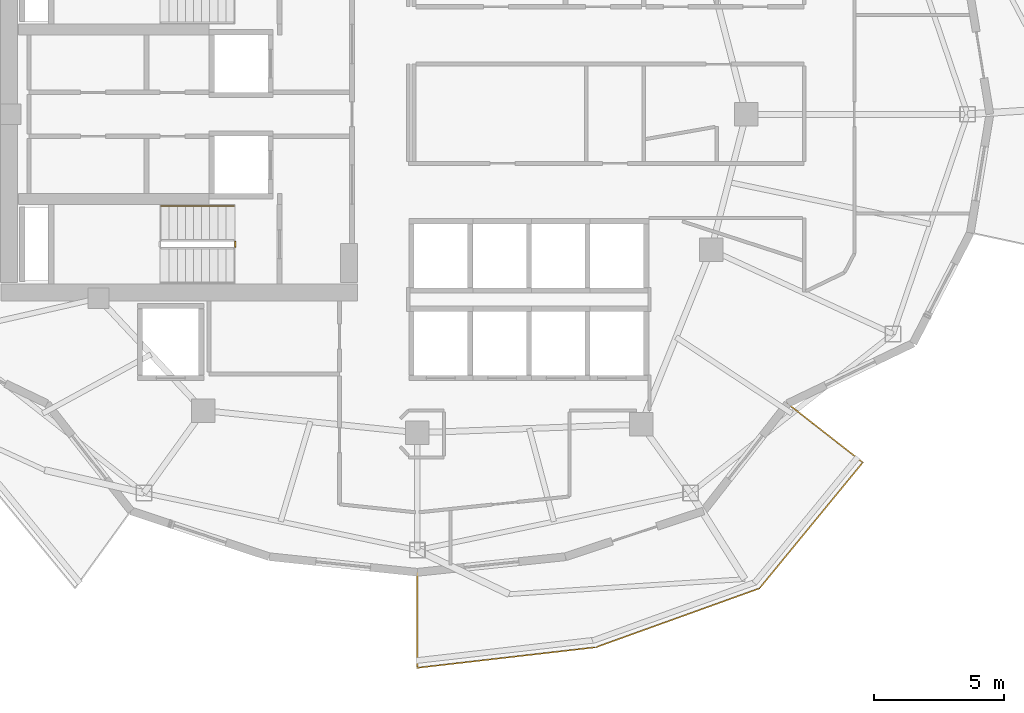
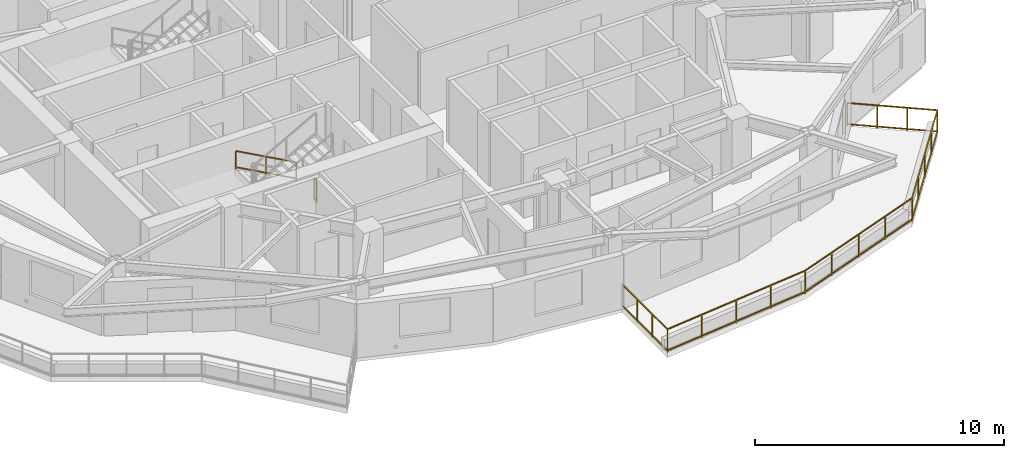
# One storey, part 9 of 12: 3 railings.
"""IFC4 building model written with IfcOpenShell, lengths in metres."""

from ifc_helpers import new_model, si_unit, direction, frame, origin, origin_2d, place, context, subcontext, project, spatial, rectangle, extrude, material, type_object, element, save


model = new_model("IFC4")

# Units and contexts
model_context = context("Model", 3, precision=1e-05, world=origin(), true_north=direction((0.0, 1.0)))
body_context = subcontext(model_context, "Body", "Model", "MODEL_VIEW")
ifc_project = project(units=[si_unit("LENGTHUNIT", "METRE"), si_unit("AREAUNIT", "SQUARE_METRE"), si_unit("VOLUMEUNIT", "CUBIC_METRE"), si_unit("PLANEANGLEUNIT", "RADIAN"), si_unit("MASSUNIT", "GRAM", prefix="KILO")], contexts=[model_context])

# Site, building, storey
site_placement = place(None, origin())
site = spatial("IfcSite", under=ifc_project, at=site_placement, CompositionType="ELEMENT")
building_placement = place(site_placement, origin())
building = spatial("IfcBuilding", under=site, at=building_placement, Name="Kolvaren Gate Tower and Convention Centre", CompositionType="ELEMENT")
storey_placement = place(building_placement, frame((0.0, 0.0, 180.10009765625)))
storey = spatial("IfcBuildingStorey", under=building, at=storey_placement, Name="L47", CompositionType="ELEMENT", Elevation=180.10009765625)

# Railings
ifc_material = material(Name="Brushed Stainless Steel Grade 316L", Category="steel")
railing_type_1 = type_object("IfcRailingType", Name="ARCH-RL-GUARD-1150", PredefinedType="GUARDRAIL", material=ifc_material)
railing_1_placement = place(storey_placement, frame((23.14990234375, 22.1201171875, 0.0)))
element("IfcRailing", 1, at=railing_1_placement, inside=storey, type_object=railing_type_1, Name="L47 ST-T2 stair guard 4", PredefinedType="GUARDRAIL", context=body_context, shape_type="SweptSolid", body=[
    extrude(rectangle(XDim=0.048095703125, YDim=0.048095703125, at=origin_2d()), frame((0.0, 0.0, 1.076171875), z_axis=(0.0, -1.0, 0.0), x_axis=(1.0, 0.0, 0.0)), (0.0, 0.0, 1.0), 0.2001953125),
    extrude(rectangle(XDim=0.048095703125, YDim=0.048095703125, at=origin_2d()), frame((0.0, 0.0, 0.083984375), z_axis=(0.0, -1.0, 0.0), x_axis=(1.0, 0.0, 0.0)), (0.0, 0.0, 1.0), 0.2001953125),
    extrude(rectangle(XDim=0.0419921875, YDim=0.0419921875, at=origin_2d()), origin(), (0.0, 0.0, 1.0), 1.050048828125),
    extrude(rectangle(XDim=0.0419921875, YDim=0.0419921875, at=origin_2d()), frame((0.0, -0.2001953125, 0.0)), (0.0, 0.0, 1.0), 1.050048828125),
])
railing_2_placement = place(storey_placement, frame((30.125, 9.449951171875, 0.0)))
element("IfcRailing", 2, at=railing_2_placement, inside=storey, type_object=railing_type_1, Name="Tower L47 Terrace Perimeter Guardrail GR-3", PredefinedType="GUARDRAIL", context=body_context, shape_type="SweptSolid", body=[
    extrude(rectangle(XDim=0.048095703125, YDim=0.048095703125, at=origin_2d()), frame((0.0, -0.028076171875, 1.1259765625), z_axis=(0.0, -1.0, 0.0), x_axis=(1.0, 0.0, 0.0)), (0.0, 0.0, 1.0), 3.603759765625),
    extrude(rectangle(XDim=0.048095703125, YDim=0.048095703125, at=origin_2d()), frame((0.0, -0.028076171875, 0.083984375), z_axis=(0.0, -1.0, 0.0), x_axis=(1.0, 0.0, 0.0)), (0.0, 0.0, 1.0), 3.603759765625),
    extrude(rectangle(XDim=0.048095703125, YDim=0.048095703125, at=origin_2d()), frame((0.02783203125, -3.65673828125, 1.1259765625), z_axis=(0.993440112849, 0.114353584036, 0.0), x_axis=(-0.114353584036, 0.993440112849, 0.0)), (0.0, 0.0, 1.0), 6.8291015625),
    extrude(rectangle(XDim=0.048095703125, YDim=0.048095703125, at=origin_2d()), frame((0.02783203125, -3.65673828125, 0.083984375), z_axis=(0.993440112849, 0.114353584036, 0.0), x_axis=(-0.114353584036, 0.993440112849, 0.0)), (0.0, 0.0, 1.0), 6.8291015625),
    extrude(rectangle(XDim=0.048095703125, YDim=0.048095703125, at=origin_2d()), frame((6.866455078125, -2.863037109375, 1.1259765625), z_axis=(0.940948576924, 0.338549517184, 0.0), x_axis=(-0.338549517184, 0.940948576924, 0.0)), (0.0, 0.0, 1.0), 6.60791015625),
    extrude(rectangle(XDim=0.048095703125, YDim=0.048095703125, at=origin_2d()), frame((6.866455078125, -2.863037109375, 0.083984375), z_axis=(0.940948576924, 0.338549517184, 0.0), x_axis=(-0.338549517184, 0.940948576924, 0.0)), (0.0, 0.0, 1.0), 6.60791015625),
    extrude(rectangle(XDim=0.048095703125, YDim=0.048095703125, at=origin_2d()), frame((13.12841796875, -0.5947265625, 1.1259765625), z_axis=(0.634429234628, 0.77298094818, 0.0), x_axis=(-0.77298094818, 0.634429234628, 0.0)), (0.0, 0.0, 1.0), 6.188720703125),
    extrude(rectangle(XDim=0.048095703125, YDim=0.048095703125, at=origin_2d()), frame((13.12841796875, -0.5947265625, 0.083984375), z_axis=(0.634429234628, 0.77298094818, 0.0), x_axis=(-0.77298094818, 0.634429234628, 0.0)), (0.0, 0.0, 1.0), 6.188720703125),
    extrude(rectangle(XDim=0.048095703125, YDim=0.048095703125, at=origin_2d()), frame((17.05029296875, 4.22802734375, 1.1259765625), z_axis=(-0.787988976981, 0.61568934712, 0.0), x_axis=(-0.61568934712, -0.787988976981, 0.0)), (0.0, 0.0, 1.0), 3.60400390625),
    extrude(rectangle(XDim=0.048095703125, YDim=0.048095703125, at=origin_2d()), frame((17.05029296875, 4.22802734375, 0.083984375), z_axis=(-0.787988976981, 0.61568934712, 0.0), x_axis=(-0.61568934712, -0.787988976981, 0.0)), (0.0, 0.0, 1.0), 3.60400390625),
    extrude(rectangle(XDim=0.0419921875, YDim=0.0419921875, at=origin_2d()), origin(), (0.0, 0.0, 1.0), 1.14990234375),
    extrude(rectangle(XDim=0.0419921875, YDim=0.0419921875, at=origin_2d()), frame((0.0, -3.659912109375, 0.0)), (0.0, 0.0, 1.0), 1.14990234375),
    extrude(rectangle(XDim=0.0419921875, YDim=0.0419921875, at=origin_2d()), frame((0.0, -1.219970703125, 0.0)), (0.0, 0.0, 1.0), 1.099853515625),
    extrude(rectangle(XDim=0.0419921875, YDim=0.0419921875, at=origin_2d()), frame((0.0, -2.43994140625, 0.0)), (0.0, 0.0, 1.0), 1.099853515625),
    extrude(rectangle(XDim=0.0419921875, YDim=0.0419921875, at=origin_2d()), frame((6.840087890625, -2.87255859375, 0.0)), (0.0, 0.0, 1.0), 1.14990234375),
    extrude(rectangle(XDim=0.0419921875, YDim=0.0419921875, at=origin_2d()), frame((1.7099609375, -3.463134765625, 0.0)), (0.0, 0.0, 1.0), 1.099853515625),
    extrude(rectangle(XDim=0.0419921875, YDim=0.0419921875, at=origin_2d()), frame((3.419921875, -3.26611328125, 0.0)), (0.0, 0.0, 1.0), 1.099853515625),
    extrude(rectangle(XDim=0.0419921875, YDim=0.0419921875, at=origin_2d()), frame((5.130126953125, -3.0693359375, 0.0)), (0.0, 0.0, 1.0), 1.099853515625),
    extrude(rectangle(XDim=0.0419921875, YDim=0.0419921875, at=origin_2d()), frame((13.110595703125, -0.616455078125, 0.0)), (0.0, 0.0, 1.0), 1.14990234375),
    extrude(rectangle(XDim=0.0419921875, YDim=0.0419921875, at=origin_2d()), frame((8.40771484375, -2.30859375, 0.0)), (0.0, 0.0, 1.0), 1.099853515625),
    extrude(rectangle(XDim=0.0419921875, YDim=0.0419921875, at=origin_2d()), frame((9.975341796875, -1.74462890625, 0.0)), (0.0, 0.0, 1.0), 1.099853515625),
    extrude(rectangle(XDim=0.0419921875, YDim=0.0419921875, at=origin_2d()), frame((11.54296875, -1.180419921875, 0.0)), (0.0, 0.0, 1.0), 1.099853515625),
    extrude(rectangle(XDim=0.0419921875, YDim=0.0419921875, at=origin_2d()), frame((17.072509765625, 4.210693359375, 0.0)), (0.0, 0.0, 1.0), 1.14990234375),
    extrude(rectangle(XDim=0.0419921875, YDim=0.0419921875, at=origin_2d()), frame((14.10107421875, 0.59033203125, 0.0)), (0.0, 0.0, 1.0), 1.099853515625),
    extrude(rectangle(XDim=0.0419921875, YDim=0.0419921875, at=origin_2d()), frame((15.091552734375, 1.797119140625, 0.0)), (0.0, 0.0, 1.0), 1.099853515625),
    extrude(rectangle(XDim=0.0419921875, YDim=0.0419921875, at=origin_2d()), frame((16.08203125, 3.00390625, 0.0)), (0.0, 0.0, 1.0), 1.099853515625),
    extrude(rectangle(XDim=0.0419921875, YDim=0.0419921875, at=origin_2d()), frame((14.1884765625, 6.464111328125, 0.0)), (0.0, 0.0, 1.0), 1.14990234375),
    extrude(rectangle(XDim=0.0419921875, YDim=0.0419921875, at=origin_2d()), frame((16.111083984375, 4.9619140625, 0.0)), (0.0, 0.0, 1.0), 1.099853515625),
    extrude(rectangle(XDim=0.0419921875, YDim=0.0419921875, at=origin_2d()), frame((15.14990234375, 5.712890625, 0.0)), (0.0, 0.0, 1.0), 1.099853515625),
])
railing_type_2 = type_object("IfcRailingType", Name="ARCH-RL-HANDRAIL-920", PredefinedType="HANDRAIL", material=ifc_material)
railing_3_placement = place(storey_placement, frame((23.10009765625, 23.489990234375, 0.169921875)))
element("IfcRailing", 3, at=railing_3_placement, inside=storey, type_object=railing_type_2, Name="L47 ST-T2 stair handrail 1", PredefinedType="HANDRAIL", context=body_context, shape_type="SweptSolid", body=[
    extrude(rectangle(XDim=0.048095703125, YDim=0.048095703125, at=origin_2d()), frame((0.0, 0.0, 0.8759765625), z_axis=(-0.876811365212, 0.0, 0.480834513982), x_axis=(0.0, -1.0, 0.0)), (0.0, 0.0, 1.0), 3.18212890625),
    extrude(rectangle(XDim=0.048095703125, YDim=0.048095703125, at=origin_2d()), frame((0.0, 0.0, 0.083984375), z_axis=(-0.876811365212, 0.0, 0.480834513982), x_axis=(0.0, -1.0, 0.0)), (0.0, 0.0, 1.0), 3.18212890625),
    extrude(rectangle(XDim=0.0419921875, YDim=0.0419921875, at=origin_2d()), origin(), (0.0, 0.0, 1.0), 0.849853515625),
    extrude(rectangle(XDim=0.0419921875, YDim=0.0419921875, at=origin_2d()), frame((-2.7900390625, 0.0, 1.530029296875)), (0.0, 0.0, 1.0), 0.849853515625),
    extrude(rectangle(XDim=0.0419921875, YDim=0.0419921875, at=origin_2d()), frame((-1.39501953125, 0.0, 0.76513671875)), (0.0, 0.0, 1.0), 0.849853515625),
])

save(model, "model.ifc")
